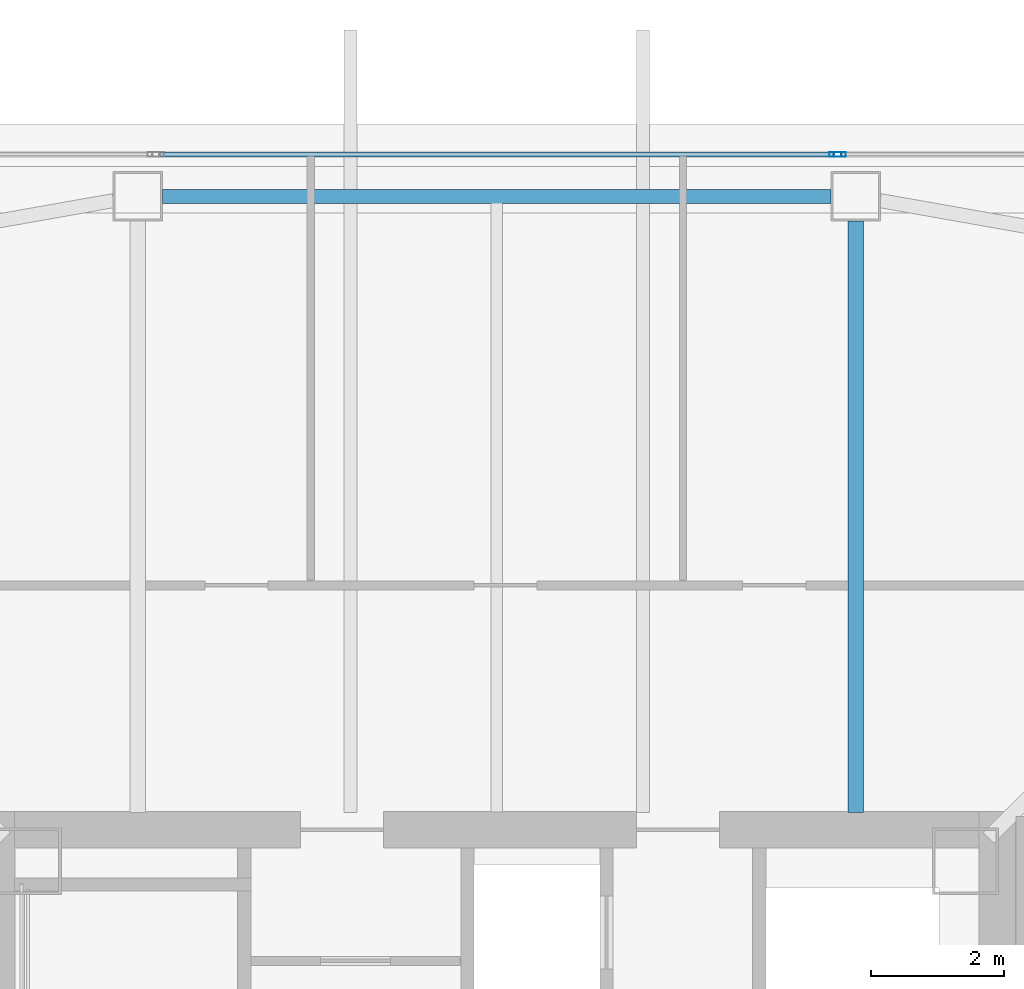
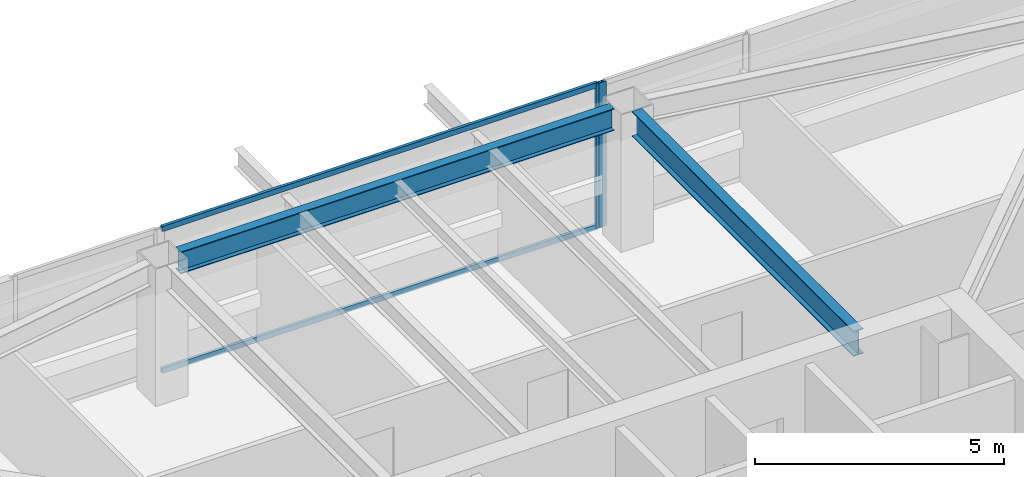
# One storey, part 14 of 42: 4 members, 2 beams, 2 elements without a shape of their own.
"""IFC4 building model written with IfcOpenShell, lengths in metres."""

from ifc_helpers import new_model, si_unit, direction, frame, origin, origin_2d, place, context, subcontext, project, spatial, hollow_rectangle, i_section, extrude, material, material_profile, profile_set, type_object, element, aggregate, save


model = new_model("IFC4")

# Units and contexts
model_context = context("Model", 3, precision=1e-05, world=origin(), true_north=direction((0.0, 1.0)))
body_context = subcontext(model_context, "Body", "Model", "MODEL_VIEW")
ifc_project = project(units=[si_unit("LENGTHUNIT", "METRE"), si_unit("AREAUNIT", "SQUARE_METRE"), si_unit("VOLUMEUNIT", "CUBIC_METRE"), si_unit("PLANEANGLEUNIT", "RADIAN"), si_unit("MASSUNIT", "GRAM", prefix="KILO")], contexts=[model_context])

# Site, building, storey
site_placement = place(None, origin())
site = spatial("IfcSite", under=ifc_project, at=site_placement, CompositionType="ELEMENT")
building_placement = place(site_placement, origin())
building = spatial("IfcBuilding", under=site, at=building_placement, Name="Tashvorn Skyway Center", CompositionType="ELEMENT")
storey_placement = place(building_placement, frame((0.0, 0.0, 164.10009765625)))
storey = spatial("IfcBuildingStorey", under=building, at=storey_placement, Name="L44", CompositionType="ELEMENT", Elevation=164.10009765625)

# Beams
ifc_material_1 = material(Name="Steel ASTM A992 Grade 50", Category="steel")
ifc_material_profile_1 = material_profile(ifc_material_1, i_section(OverallWidth=0.22998046875, OverallDepth=0.616943359375, WebThickness=0.01318359375, FlangeThickness=0.022216796875, at=origin_2d()), Name="W24X94")
ifc_profile_set_1 = profile_set([ifc_material_profile_1], Name="Steel ASTM A992 Grade 50")
beam_type_1 = type_object("IfcBeamType", Name="BM-BEAM-W24X94", PredefinedType="BEAM", material=ifc_profile_set_1)
beam_1_placement = place(storey_placement, frame((47.39990234375, 48.679931640625, 3.0615234375), z_axis=(0.0, -1.0, 0.0), x_axis=(1.0, 0.0, 0.0)))
element("IfcBeam", 1, at=beam_1_placement, inside=storey, type_object=beam_type_1, Name="Tower 1 L44 Primary Floor Girder FC-N1", PredefinedType="BEAM", context=body_context, shape_type="SweptSolid", body=[
    extrude(i_section(OverallWidth=0.22998046875, OverallDepth=0.616943359375, WebThickness=0.01318359375, FlangeThickness=0.022216796875, at=origin_2d()), origin(), (0.0, 0.0, 1.0), 8.89990234375),
])
ifc_material_profile_2 = material_profile(ifc_material_1, i_section(OverallWidth=0.2109375, OverallDepth=0.5390625, WebThickness=0.01171875, FlangeThickness=0.018798828125, at=origin_2d()), Name="W21X73")
ifc_profile_set_2 = profile_set([ifc_material_profile_2], Name="Steel ASTM A992 Grade 50")
beam_type_2 = type_object("IfcBeamType", Name="BM-SPANDREL-W21X73", PredefinedType="SPANDREL", material=ifc_profile_set_2)
beam_2_placement = place(storey_placement, frame((47.030029296875, 49.050048828125, 3.100341796875), z_axis=(-1.0, 0.0, 0.0), x_axis=(0.0, -1.0, 0.0)))
element("IfcBeam", 2, at=beam_2_placement, inside=storey, type_object=beam_type_2, Name="Tower 1 L44 Spandrel Beam 08", PredefinedType="SPANDREL", context=body_context, shape_type="SweptSolid", body=[
    extrude(i_section(OverallWidth=0.2109375, OverallDepth=0.5390625, WebThickness=0.01171875, FlangeThickness=0.018798828125, at=origin_2d()), origin(), (0.0, 0.0, 1.0), 10.06005859375),
])

# Curtain wall, member
ifc_material_2 = material(Name="Thermally broken bronze-anodized aluminium 6063-T6", Category="aluminium")
curtain_wall_type = type_object("IfcCurtainWallType", Name="CW-CW-Z4", PredefinedType="NOTDEFINED", material=ifc_material_2)
curtain_wall_1_placement = place(storey_placement, origin())
curtain_wall_1 = element("IfcCurtainWall", 3, at=curtain_wall_1_placement, inside=storey, type_object=curtain_wall_type, Name="Tower 1 L44 North Unitised Curtain Wall Glazing Group 2", PredefinedType="NOTDEFINED")
ifc_material_profile_3 = material_profile(ifc_material_2, hollow_rectangle(XDim=0.070068359375, YDim=0.179931640625, WallThickness=0.00390625, at=origin_2d()), Name="ALU-MULL-70x180")
ifc_profile_set_3 = profile_set([ifc_material_profile_3], Name="Thermally broken bronze-anodized aluminium 6063-T6")
member_type_1 = type_object("IfcMemberType", Name="CWM-CW-Z4", PredefinedType="MULLION", material=ifc_profile_set_3)
member_1_placement = place(storey_placement, frame((47.091796875, 49.679931640625, 0.0), z_axis=(0.0, 0.0, 1.0), x_axis=(0.0, 1.0, 0.0)))
member_1 = element("IfcMember", 4, at=member_1_placement, type_object=member_type_1, Name="CW-Z4 mullion 2", PredefinedType="MULLION", context=body_context, shape_type="SweptSolid", body=[
    extrude(hollow_rectangle(XDim=0.070068359375, YDim=0.179931640625, WallThickness=0.00390625, at=origin_2d()), origin(), (0.0, 0.0, 1.0), 3.5498046875),
])

curtain_wall_2_placement = place(storey_placement, origin())
curtain_wall_2 = element("IfcCurtainWall", 5, at=curtain_wall_2_placement, inside=storey, type_object=curtain_wall_type, Name="Tower 1 L44 North Unitised Curtain Wall Glazing Group 3", PredefinedType="NOTDEFINED")
member_2_placement = place(storey_placement, frame((47.16162109375, 49.679931640625, 0.0), z_axis=(0.0, 0.0, 1.0), x_axis=(0.0, 1.0, 0.0)))
member_2 = element("IfcMember", 6, at=member_2_placement, type_object=member_type_1, Name="CW-Z4 mullion 1", PredefinedType="MULLION", context=body_context, shape_type="SweptSolid", body=[
    extrude(hollow_rectangle(XDim=0.070068359375, YDim=0.179931640625, WallThickness=0.00390625, at=origin_2d()), origin(), (0.0, 0.0, 1.0), 3.5498046875),
])
aggregate(curtain_wall_2, [member_2])

# Member
ifc_material_profile_4 = material_profile(ifc_material_2, hollow_rectangle(XDim=0.070068359375, YDim=0.1298828125, WallThickness=0.00390625, at=origin_2d()), Name="ALU-TRAN-70x130")
ifc_profile_set_4 = profile_set([ifc_material_profile_4], Name="Thermally broken bronze-anodized aluminium 6063-T6")
member_type_2 = type_object("IfcMemberType", Name="CWT-CW-Z4", PredefinedType="USERDEFINED", material=ifc_profile_set_4)
member_3_placement = place(storey_placement, frame((36.943359375, 49.679931640625, 0.034912109375), z_axis=(1.0, 0.0, 0.0), x_axis=(0.0, 1.0, 0.0)))
member_3 = element("IfcMember", 7, at=member_3_placement, type_object=member_type_2, Name="CW-Z4 transom 1.1", ObjectType="TRANSOM", PredefinedType="USERDEFINED", context=body_context, shape_type="SweptSolid", body=[
    extrude(hollow_rectangle(XDim=0.070068359375, YDim=0.1298828125, WallThickness=0.00390625, at=origin_2d()), origin(), (0.0, 0.0, 1.0), 10.11328125),
])

member_4_placement = place(storey_placement, frame((36.943359375, 49.679931640625, 3.514892578125), z_axis=(1.0, 0.0, 0.0), x_axis=(0.0, 1.0, 0.0)))
member_4 = element("IfcMember", 8, at=member_4_placement, type_object=member_type_2, Name="CW-Z4 transom 1.2", ObjectType="TRANSOM", PredefinedType="USERDEFINED", context=body_context, shape_type="SweptSolid", body=[
    extrude(hollow_rectangle(XDim=0.070068359375, YDim=0.1298828125, WallThickness=0.00390625, at=origin_2d()), origin(), (0.0, 0.0, 1.0), 10.11328125),
])

aggregate(curtain_wall_1, [member_1, member_3, member_4])

save(model, "model.ifc")
